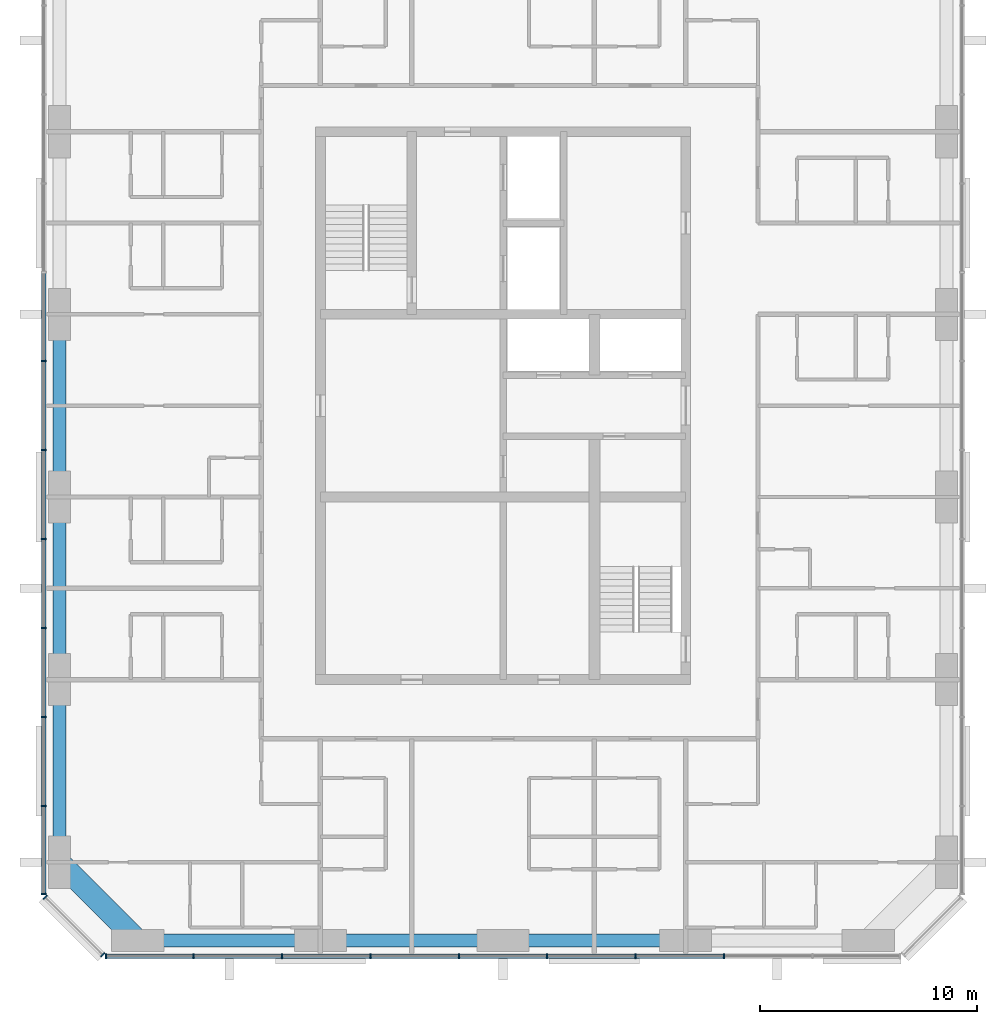
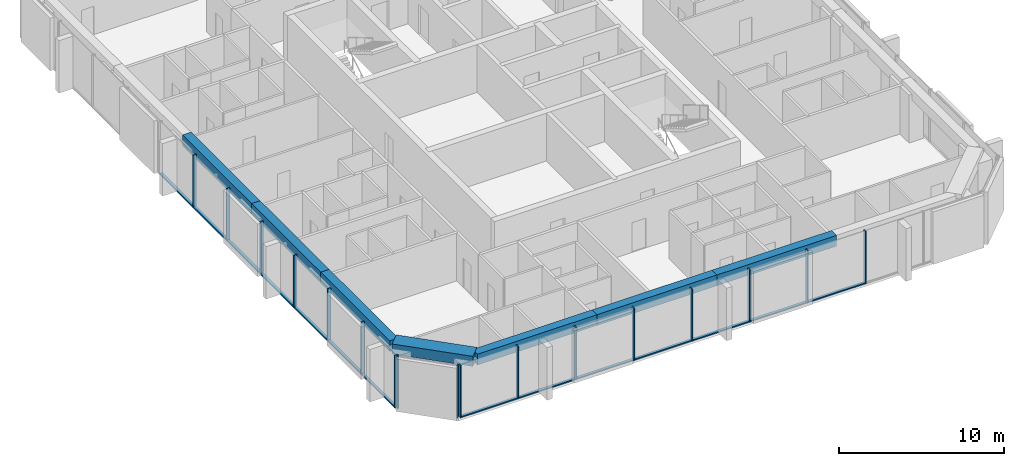
# One storey, part 2 of 12: 31 members, 7 beams, 3 elements without a shape of their own.
"""IFC4 building model written with IfcOpenShell, lengths in metres."""

from ifc_helpers import new_model, si_unit, direction, frame, origin, origin_2d, place, context, subcontext, project, spatial, rectangle, extrude, material, material_profile, profile_set, type_object, element, aggregate, save


model = new_model("IFC4")

# Units and contexts
model_context = context("Model", 3, precision=1e-05, world=origin(), true_north=direction((0.0, 1.0)))
body_context = subcontext(model_context, "Body", "Model", "MODEL_VIEW")
ifc_project = project(units=[si_unit("LENGTHUNIT", "METRE"), si_unit("AREAUNIT", "SQUARE_METRE"), si_unit("VOLUMEUNIT", "CUBIC_METRE"), si_unit("PLANEANGLEUNIT", "RADIAN"), si_unit("MASSUNIT", "GRAM", prefix="KILO")], contexts=[model_context])

# Site, building, storey
site_placement = place(None, origin())
site = spatial("IfcSite", under=ifc_project, at=site_placement, CompositionType="ELEMENT")
building_placement = place(site_placement, origin())
building = spatial("IfcBuilding", under=site, at=building_placement, Name="Dunama Terrace Hotel", CompositionType="ELEMENT")
storey_placement = place(building_placement, frame((0.0, 0.0, 272.39990234375)))
storey = spatial("IfcBuildingStorey", under=building, at=storey_placement, Name="L70", CompositionType="ELEMENT", Elevation=272.39990234375)

# Curtain wall, members
ifc_material_1 = material(Name="Aluminium curtain wall system", Category="aluminium")
curtain_wall_type = type_object("IfcCurtainWallType", Name="Unitised fritted glass wall CW-D", PredefinedType="NOTDEFINED", material=ifc_material_1)
curtain_wall_1_placement = place(storey_placement, origin())
curtain_wall_1 = element("IfcCurtainWall", 1, at=curtain_wall_1_placement, inside=storey, type_object=curtain_wall_type, Name="Unitised fritted glass wall CW-D L70", PredefinedType="NOTDEFINED")
ifc_material_2 = material(Name="Aluminium mullion", Category="aluminium")
ifc_material_profile_1 = material_profile(ifc_material_2, rectangle(XDim=0.070068359375, YDim=0.239990234375, at=origin_2d()), Name="CWD MULLION 70X240")
ifc_profile_set_1 = profile_set([ifc_material_profile_1], Name="Aluminium mullion")
member_type_1 = type_object("IfcMemberType", Name="CWD mullion 70x240", PredefinedType="MULLION", material=ifc_profile_set_1)
member_1_placement = place(storey_placement, frame((15.3349609375, 4.080078125, 0.0), z_axis=(0.0, 0.0, 1.0), x_axis=(1.0, 0.0, 0.0)))
member_1 = element("IfcMember", 2, at=member_1_placement, type_object=member_type_1, Name="CWD mullion", PredefinedType="MULLION", context=body_context, shape_type="SweptSolid", body=[
    extrude(rectangle(XDim=0.070068359375, YDim=0.239990234375, at=origin_2d()), origin(), (0.0, 0.0, 1.0), 3.900146484375),
])
member_2_placement = place(storey_placement, frame((19.366943359375, 4.080078125, 0.0), z_axis=(0.0, 0.0, 1.0), x_axis=(1.0, 0.0, 0.0)))
member_2 = element("IfcMember", 3, at=member_2_placement, type_object=member_type_1, Name="CWD mullion", PredefinedType="MULLION", context=body_context, shape_type="SweptSolid", body=[
    extrude(rectangle(XDim=0.070068359375, YDim=0.239990234375, at=origin_2d()), origin(), (0.0, 0.0, 1.0), 3.900146484375),
])
member_3_placement = place(storey_placement, frame((23.43310546875, 4.080078125, 0.0), z_axis=(0.0, 0.0, 1.0), x_axis=(1.0, 0.0, 0.0)))
member_3 = element("IfcMember", 4, at=member_3_placement, type_object=member_type_1, Name="CWD mullion", PredefinedType="MULLION", context=body_context, shape_type="SweptSolid", body=[
    extrude(rectangle(XDim=0.070068359375, YDim=0.239990234375, at=origin_2d()), origin(), (0.0, 0.0, 1.0), 3.900146484375),
])
member_4_placement = place(storey_placement, frame((27.5, 4.080078125, 0.0), z_axis=(0.0, 0.0, 1.0), x_axis=(1.0, 0.0, 0.0)))
member_4 = element("IfcMember", 5, at=member_4_placement, type_object=member_type_1, Name="CWD mullion", PredefinedType="MULLION", context=body_context, shape_type="SweptSolid", body=[
    extrude(rectangle(XDim=0.070068359375, YDim=0.239990234375, at=origin_2d()), origin(), (0.0, 0.0, 1.0), 3.900146484375),
])
member_5_placement = place(storey_placement, frame((31.56689453125, 4.080078125, 0.0), z_axis=(0.0, 0.0, 1.0), x_axis=(1.0, 0.0, 0.0)))
member_5 = element("IfcMember", 6, at=member_5_placement, type_object=member_type_1, Name="CWD mullion", PredefinedType="MULLION", context=body_context, shape_type="SweptSolid", body=[
    extrude(rectangle(XDim=0.070068359375, YDim=0.239990234375, at=origin_2d()), origin(), (0.0, 0.0, 1.0), 3.900146484375),
])
member_6_placement = place(storey_placement, frame((35.633056640625, 4.080078125, 0.0), z_axis=(0.0, 0.0, 1.0), x_axis=(1.0, 0.0, 0.0)))
member_6 = element("IfcMember", 7, at=member_6_placement, type_object=member_type_1, Name="CWD mullion", PredefinedType="MULLION", context=body_context, shape_type="SweptSolid", body=[
    extrude(rectangle(XDim=0.070068359375, YDim=0.239990234375, at=origin_2d()), origin(), (0.0, 0.0, 1.0), 3.900146484375),
])
member_7_placement = place(storey_placement, frame((39.699951171875, 4.080078125, 0.0), z_axis=(0.0, 0.0, 1.0), x_axis=(1.0, 0.0, 0.0)))
member_7 = element("IfcMember", 8, at=member_7_placement, type_object=member_type_1, Name="CWD mullion", PredefinedType="MULLION", context=body_context, shape_type="SweptSolid", body=[
    extrude(rectangle(XDim=0.070068359375, YDim=0.239990234375, at=origin_2d()), origin(), (0.0, 0.0, 1.0), 3.900146484375),
])
member_8_placement = place(storey_placement, frame((43.76708984375, 4.080078125, 0.0), z_axis=(0.0, 0.0, 1.0), x_axis=(1.0, 0.0, 0.0)))
member_8 = element("IfcMember", 9, at=member_8_placement, type_object=member_type_1, Name="CWD mullion", PredefinedType="MULLION", context=body_context, shape_type="SweptSolid", body=[
    extrude(rectangle(XDim=0.070068359375, YDim=0.239990234375, at=origin_2d()), origin(), (0.0, 0.0, 1.0), 3.900146484375),
])

curtain_wall_2_placement = place(storey_placement, origin())
curtain_wall_2 = element("IfcCurtainWall", 10, at=curtain_wall_2_placement, inside=storey, type_object=curtain_wall_type, Name="Unitised fritted glass wall CW-D L70", PredefinedType="NOTDEFINED")
member_9_placement = place(storey_placement, frame((12.47998046875, 31.445068359375, 0.0), z_axis=(0.0, 0.0, 1.0), x_axis=(0.0, -1.0, 0.0)))
member_9 = element("IfcMember", 11, at=member_9_placement, type_object=member_type_1, Name="CWD mullion", PredefinedType="MULLION", context=body_context, shape_type="SweptSolid", body=[
    extrude(rectangle(XDim=0.070068359375, YDim=0.239990234375, at=origin_2d()), origin(), (0.0, 0.0, 1.0), 3.900146484375),
])
member_10_placement = place(storey_placement, frame((12.47998046875, 27.35498046875, 0.0), z_axis=(0.0, 0.0, 1.0), x_axis=(0.0, -1.0, 0.0)))
member_10 = element("IfcMember", 12, at=member_10_placement, type_object=member_type_1, Name="CWD mullion", PredefinedType="MULLION", context=body_context, shape_type="SweptSolid", body=[
    extrude(rectangle(XDim=0.070068359375, YDim=0.239990234375, at=origin_2d()), origin(), (0.0, 0.0, 1.0), 3.900146484375),
])
member_11_placement = place(storey_placement, frame((12.47998046875, 23.263916015625, 0.0), z_axis=(0.0, 0.0, 1.0), x_axis=(0.0, -1.0, 0.0)))
member_11 = element("IfcMember", 13, at=member_11_placement, type_object=member_type_1, Name="CWD mullion", PredefinedType="MULLION", context=body_context, shape_type="SweptSolid", body=[
    extrude(rectangle(XDim=0.070068359375, YDim=0.239990234375, at=origin_2d()), origin(), (0.0, 0.0, 1.0), 3.900146484375),
])
member_12_placement = place(storey_placement, frame((12.47998046875, 19.173095703125, 0.0), z_axis=(0.0, 0.0, 1.0), x_axis=(0.0, -1.0, 0.0)))
member_12 = element("IfcMember", 14, at=member_12_placement, type_object=member_type_1, Name="CWD mullion", PredefinedType="MULLION", context=body_context, shape_type="SweptSolid", body=[
    extrude(rectangle(XDim=0.070068359375, YDim=0.239990234375, at=origin_2d()), origin(), (0.0, 0.0, 1.0), 3.900146484375),
])
member_13_placement = place(storey_placement, frame((12.47998046875, 15.08203125, 0.0), z_axis=(0.0, 0.0, 1.0), x_axis=(0.0, -1.0, 0.0)))
member_13 = element("IfcMember", 15, at=member_13_placement, type_object=member_type_1, Name="CWD mullion", PredefinedType="MULLION", context=body_context, shape_type="SweptSolid", body=[
    extrude(rectangle(XDim=0.070068359375, YDim=0.239990234375, at=origin_2d()), origin(), (0.0, 0.0, 1.0), 3.900146484375),
])
member_14_placement = place(storey_placement, frame((12.47998046875, 10.990966796875, 0.0), z_axis=(0.0, 0.0, 1.0), x_axis=(0.0, -1.0, 0.0)))
member_14 = element("IfcMember", 16, at=member_14_placement, type_object=member_type_1, Name="CWD mullion", PredefinedType="MULLION", context=body_context, shape_type="SweptSolid", body=[
    extrude(rectangle(XDim=0.070068359375, YDim=0.239990234375, at=origin_2d()), origin(), (0.0, 0.0, 1.0), 3.900146484375),
])
member_15_placement = place(storey_placement, frame((12.47998046875, 6.93505859375, 0.0), z_axis=(0.0, 0.0, 1.0), x_axis=(0.0, -1.0, 0.0)))
member_15 = element("IfcMember", 17, at=member_15_placement, type_object=member_type_1, Name="CWD mullion", PredefinedType="MULLION", context=body_context, shape_type="SweptSolid", body=[
    extrude(rectangle(XDim=0.070068359375, YDim=0.239990234375, at=origin_2d()), origin(), (0.0, 0.0, 1.0), 3.900146484375),
])

curtain_wall_3_placement = place(storey_placement, origin())
curtain_wall_3 = element("IfcCurtainWall", 18, at=curtain_wall_3_placement, inside=storey, type_object=curtain_wall_type, Name="Unitised fritted glass wall CW-D L70", PredefinedType="NOTDEFINED")
member_16_placement = place(storey_placement, frame((12.5400390625, 6.7900390625, 0.0), z_axis=(0.0, 0.0, 1.0), x_axis=(0.707106781187, -0.707106781187, 0.0)))
member_16 = element("IfcMember", 19, at=member_16_placement, type_object=member_type_1, Name="CWD mullion", PredefinedType="MULLION", context=body_context, shape_type="SweptSolid", body=[
    extrude(rectangle(XDim=0.070068359375, YDim=0.239990234375, at=origin_2d()), origin(), (0.0, 0.0, 1.0), 3.900146484375),
])
member_17_placement = place(storey_placement, frame((15.18994140625, 4.139892578125, 0.0), z_axis=(0.0, 0.0, 1.0), x_axis=(0.707106781187, -0.707106781187, 0.0)))
member_17 = element("IfcMember", 20, at=member_17_placement, type_object=member_type_1, Name="CWD mullion", PredefinedType="MULLION", context=body_context, shape_type="SweptSolid", body=[
    extrude(rectangle(XDim=0.070068359375, YDim=0.239990234375, at=origin_2d()), origin(), (0.0, 0.0, 1.0), 3.900146484375),
])
aggregate(curtain_wall_3, [member_16, member_17])

# Member
ifc_material_3 = material(Name="Aluminium transom", Category="aluminium")
ifc_material_profile_2 = material_profile(ifc_material_3, rectangle(XDim=0.199951171875, YDim=0.0849609375, at=origin_2d()), Name="CWD TRANSOM 200X85")
ifc_profile_set_2 = profile_set([ifc_material_profile_2], Name="Aluminium transom")
member_type_2 = type_object("IfcMemberType", Name="CWD transom 200x85", PredefinedType="USERDEFINED", material=ifc_profile_set_2)
member_18_placement = place(storey_placement, frame((15.3701171875, 4.080078125, 0.04248046875), z_axis=(1.0, 0.0, 0.0), x_axis=(0.0, 1.0, 0.0)))
member_18 = element("IfcMember", 21, at=member_18_placement, type_object=member_type_2, Name="CWD transom", ObjectType="TRANSOM", PredefinedType="USERDEFINED", context=body_context, shape_type="SweptSolid", body=[
    extrude(rectangle(XDim=0.199951171875, YDim=0.0849609375, at=origin_2d()), origin(), (0.0, 0.0, 1.0), 3.9619140625),
])

member_19_placement = place(storey_placement, frame((19.402099609375, 4.080078125, 0.04248046875), z_axis=(1.0, 0.0, 0.0), x_axis=(0.0, 1.0, 0.0)))
member_19 = element("IfcMember", 22, at=member_19_placement, type_object=member_type_2, Name="CWD transom", ObjectType="TRANSOM", PredefinedType="USERDEFINED", context=body_context, shape_type="SweptSolid", body=[
    extrude(rectangle(XDim=0.199951171875, YDim=0.0849609375, at=origin_2d()), origin(), (0.0, 0.0, 1.0), 3.995849609375),
])

member_20_placement = place(storey_placement, frame((23.468017578125, 4.080078125, 0.04248046875), z_axis=(1.0, 0.0, 0.0), x_axis=(0.0, 1.0, 0.0)))
member_20 = element("IfcMember", 23, at=member_20_placement, type_object=member_type_2, Name="CWD transom", ObjectType="TRANSOM", PredefinedType="USERDEFINED", context=body_context, shape_type="SweptSolid", body=[
    extrude(rectangle(XDim=0.199951171875, YDim=0.0849609375, at=origin_2d()), origin(), (0.0, 0.0, 1.0), 3.9970703125),
])

member_21_placement = place(storey_placement, frame((27.534912109375, 4.080078125, 0.04248046875), z_axis=(1.0, 0.0, 0.0), x_axis=(0.0, 1.0, 0.0)))
member_21 = element("IfcMember", 24, at=member_21_placement, type_object=member_type_2, Name="CWD transom", ObjectType="TRANSOM", PredefinedType="USERDEFINED", context=body_context, shape_type="SweptSolid", body=[
    extrude(rectangle(XDim=0.199951171875, YDim=0.0849609375, at=origin_2d()), origin(), (0.0, 0.0, 1.0), 3.9970703125),
])

member_22_placement = place(storey_placement, frame((31.60205078125, 4.080078125, 0.04248046875), z_axis=(1.0, 0.0, 0.0), x_axis=(0.0, 1.0, 0.0)))
member_22 = element("IfcMember", 25, at=member_22_placement, type_object=member_type_2, Name="CWD transom", ObjectType="TRANSOM", PredefinedType="USERDEFINED", context=body_context, shape_type="SweptSolid", body=[
    extrude(rectangle(XDim=0.199951171875, YDim=0.0849609375, at=origin_2d()), origin(), (0.0, 0.0, 1.0), 3.995849609375),
])

member_23_placement = place(storey_placement, frame((35.66796875, 4.080078125, 0.04248046875), z_axis=(1.0, 0.0, 0.0), x_axis=(0.0, 1.0, 0.0)))
member_23 = element("IfcMember", 26, at=member_23_placement, type_object=member_type_2, Name="CWD transom", ObjectType="TRANSOM", PredefinedType="USERDEFINED", context=body_context, shape_type="SweptSolid", body=[
    extrude(rectangle(XDim=0.199951171875, YDim=0.0849609375, at=origin_2d()), origin(), (0.0, 0.0, 1.0), 3.9970703125),
])

member_24_placement = place(storey_placement, frame((39.735107421875, 4.080078125, 0.04248046875), z_axis=(1.0, 0.0, 0.0), x_axis=(0.0, 1.0, 0.0)))
member_24 = element("IfcMember", 27, at=member_24_placement, type_object=member_type_2, Name="CWD transom", ObjectType="TRANSOM", PredefinedType="USERDEFINED", context=body_context, shape_type="SweptSolid", body=[
    extrude(rectangle(XDim=0.199951171875, YDim=0.0849609375, at=origin_2d()), origin(), (0.0, 0.0, 1.0), 3.996826171875),
])

aggregate(curtain_wall_1, [member_1, member_2, member_3, member_4, member_5, member_6, member_7, member_8, member_18, member_19, member_20, member_21, member_22, member_23, member_24])

member_25_placement = place(storey_placement, frame((12.47998046875, 35.5009765625, 0.04248046875), z_axis=(0.0, -1.0, 0.0), x_axis=(1.0, 0.0, 0.0)))
member_25 = element("IfcMember", 28, at=member_25_placement, type_object=member_type_2, Name="CWD transom", ObjectType="TRANSOM", PredefinedType="USERDEFINED", context=body_context, shape_type="SweptSolid", body=[
    extrude(rectangle(XDim=0.199951171875, YDim=0.0849609375, at=origin_2d()), origin(), (0.0, 0.0, 1.0), 4.02099609375),
])

member_26_placement = place(storey_placement, frame((12.47998046875, 31.409912109375, 0.04248046875), z_axis=(0.0, -1.0, 0.0), x_axis=(1.0, 0.0, 0.0)))
member_26 = element("IfcMember", 29, at=member_26_placement, type_object=member_type_2, Name="CWD transom", ObjectType="TRANSOM", PredefinedType="USERDEFINED", context=body_context, shape_type="SweptSolid", body=[
    extrude(rectangle(XDim=0.199951171875, YDim=0.0849609375, at=origin_2d()), origin(), (0.0, 0.0, 1.0), 4.02001953125),
])

member_27_placement = place(storey_placement, frame((12.47998046875, 27.320068359375, 0.04248046875), z_axis=(0.0, -1.0, 0.0), x_axis=(1.0, 0.0, 0.0)))
member_27 = element("IfcMember", 30, at=member_27_placement, type_object=member_type_2, Name="CWD transom", ObjectType="TRANSOM", PredefinedType="USERDEFINED", context=body_context, shape_type="SweptSolid", body=[
    extrude(rectangle(XDim=0.199951171875, YDim=0.0849609375, at=origin_2d()), origin(), (0.0, 0.0, 1.0), 4.02099609375),
])

member_28_placement = place(storey_placement, frame((12.47998046875, 23.22900390625, 0.04248046875), z_axis=(0.0, -1.0, 0.0), x_axis=(1.0, 0.0, 0.0)))
member_28 = element("IfcMember", 31, at=member_28_placement, type_object=member_type_2, Name="CWD transom", ObjectType="TRANSOM", PredefinedType="USERDEFINED", context=body_context, shape_type="SweptSolid", body=[
    extrude(rectangle(XDim=0.199951171875, YDim=0.0849609375, at=origin_2d()), origin(), (0.0, 0.0, 1.0), 4.02099609375),
])

member_29_placement = place(storey_placement, frame((12.47998046875, 19.137939453125, 0.04248046875), z_axis=(0.0, -1.0, 0.0), x_axis=(1.0, 0.0, 0.0)))
member_29 = element("IfcMember", 32, at=member_29_placement, type_object=member_type_2, Name="CWD transom", ObjectType="TRANSOM", PredefinedType="USERDEFINED", context=body_context, shape_type="SweptSolid", body=[
    extrude(rectangle(XDim=0.199951171875, YDim=0.0849609375, at=origin_2d()), origin(), (0.0, 0.0, 1.0), 4.02099609375),
])

member_30_placement = place(storey_placement, frame((12.47998046875, 15.047119140625, 0.04248046875), z_axis=(0.0, -1.0, 0.0), x_axis=(1.0, 0.0, 0.0)))
member_30 = element("IfcMember", 33, at=member_30_placement, type_object=member_type_2, Name="CWD transom", ObjectType="TRANSOM", PredefinedType="USERDEFINED", context=body_context, shape_type="SweptSolid", body=[
    extrude(rectangle(XDim=0.199951171875, YDim=0.0849609375, at=origin_2d()), origin(), (0.0, 0.0, 1.0), 4.021240234375),
])

member_31_placement = place(storey_placement, frame((12.47998046875, 10.9560546875, 0.04248046875), z_axis=(0.0, -1.0, 0.0), x_axis=(1.0, 0.0, 0.0)))
member_31 = element("IfcMember", 34, at=member_31_placement, type_object=member_type_2, Name="CWD transom", ObjectType="TRANSOM", PredefinedType="USERDEFINED", context=body_context, shape_type="SweptSolid", body=[
    extrude(rectangle(XDim=0.199951171875, YDim=0.0849609375, at=origin_2d()), origin(), (0.0, 0.0, 1.0), 3.986083984375),
])

aggregate(curtain_wall_2, [member_9, member_10, member_11, member_12, member_13, member_14, member_15, member_25, member_26, member_27, member_28, member_29, member_30, member_31])

# Beams
ifc_material_4 = material(Name="Concrete C50/60", Category="concrete")
ifc_material_profile_3 = material_profile(ifc_material_4, rectangle(XDim=1.0, YDim=0.75, at=origin_2d()), Name="RC 1000x750")
ifc_profile_set_3 = profile_set([ifc_material_profile_3], Name="Concrete C50/60")
beam_type_1 = type_object("IfcBeamType", Name="Edge beam RC 1000x750", PredefinedType="SPANDREL", material=ifc_profile_set_3)
beam_1_placement = place(storey_placement, frame((16.800048828125, 4.800048828125, 3.525146484375), z_axis=(-0.707130757816, 0.707082803744, 0.0), x_axis=(-0.707082803744, -0.707130757816, 0.0)))
element("IfcBeam", 35, at=beam_1_placement, inside=storey, type_object=beam_type_1, Name="Corner edge beam under L71", PredefinedType="SPANDREL", context=body_context, shape_type="SweptSolid", body=[
    extrude(rectangle(XDim=1.0, YDim=0.75, at=origin_2d()), origin(), (0.0, 0.0, 1.0), 5.091064453125),
])
ifc_material_5 = material(Name="Concrete C40/50", Category="concrete")
ifc_material_profile_4 = material_profile(ifc_material_5, rectangle(XDim=0.60009765625, YDim=0.800048828125, at=origin_2d()), Name="RC 600x800")
ifc_profile_set_4 = profile_set([ifc_material_profile_4], Name="Concrete C40/50")
beam_type_2 = type_object("IfcBeamType", Name="Edge beam RC 600x800", PredefinedType="SPANDREL", material=ifc_profile_set_4)
beam_2_placement = place(storey_placement, frame((13.199951171875, 8.39990234375, 3.5), z_axis=(0.0, 1.0, 0.0), x_axis=(-1.0, 0.0, 0.0)))
element("IfcBeam", 36, at=beam_2_placement, inside=storey, type_object=beam_type_2, Name="Edge beam under L71", PredefinedType="SPANDREL", context=body_context, shape_type="SweptSolid", body=[
    extrude(rectangle(XDim=0.60009765625, YDim=0.800048828125, at=origin_2d()), origin(), (0.0, 0.0, 1.0), 8.400146484375),
])
beam_3_placement = place(storey_placement, frame((13.199951171875, 16.800048828125, 3.5), z_axis=(0.0, 1.0, 0.0), x_axis=(-1.0, 0.0, 0.0)))
element("IfcBeam", 37, at=beam_3_placement, inside=storey, type_object=beam_type_2, Name="Edge beam under L71", PredefinedType="SPANDREL", context=body_context, shape_type="SweptSolid", body=[
    extrude(rectangle(XDim=0.60009765625, YDim=0.800048828125, at=origin_2d()), origin(), (0.0, 0.0, 1.0), 8.39990234375),
])
beam_4_placement = place(storey_placement, frame((13.199951171875, 25.199951171875, 3.5), z_axis=(0.0, 1.0, 0.0), x_axis=(-1.0, 0.0, 0.0)))
element("IfcBeam", 38, at=beam_4_placement, inside=storey, type_object=beam_type_2, Name="Edge beam under L71", PredefinedType="SPANDREL", context=body_context, shape_type="SweptSolid", body=[
    extrude(rectangle(XDim=0.60009765625, YDim=0.800048828125, at=origin_2d()), origin(), (0.0, 0.0, 1.0), 8.400146484375),
])
beam_5_placement = place(storey_placement, frame((16.800048828125, 4.800048828125, 3.5), z_axis=(1.0, 0.0, 0.0), x_axis=(0.0, 1.0, 0.0)))
element("IfcBeam", 39, at=beam_5_placement, inside=storey, type_object=beam_type_2, Name="Edge beam under L71", PredefinedType="SPANDREL", context=body_context, shape_type="SweptSolid", body=[
    extrude(rectangle(XDim=0.60009765625, YDim=0.800048828125, at=origin_2d()), origin(), (0.0, 0.0, 1.0), 8.39990234375),
])
beam_6_placement = place(storey_placement, frame((25.199951171875, 4.800048828125, 3.5), z_axis=(1.0, 0.0, 0.0), x_axis=(0.0, 1.0, 0.0)))
element("IfcBeam", 40, at=beam_6_placement, inside=storey, type_object=beam_type_2, Name="Edge beam under L71", PredefinedType="SPANDREL", context=body_context, shape_type="SweptSolid", body=[
    extrude(rectangle(XDim=0.60009765625, YDim=0.800048828125, at=origin_2d()), origin(), (0.0, 0.0, 1.0), 8.400146484375),
])
beam_7_placement = place(storey_placement, frame((33.60009765625, 4.800048828125, 3.5), z_axis=(1.0, 0.0, 0.0), x_axis=(0.0, 1.0, 0.0)))
element("IfcBeam", 41, at=beam_7_placement, inside=storey, type_object=beam_type_2, Name="Edge beam under L71", PredefinedType="SPANDREL", context=body_context, shape_type="SweptSolid", body=[
    extrude(rectangle(XDim=0.60009765625, YDim=0.800048828125, at=origin_2d()), origin(), (0.0, 0.0, 1.0), 8.39990234375),
])

save(model, "model.ifc")
